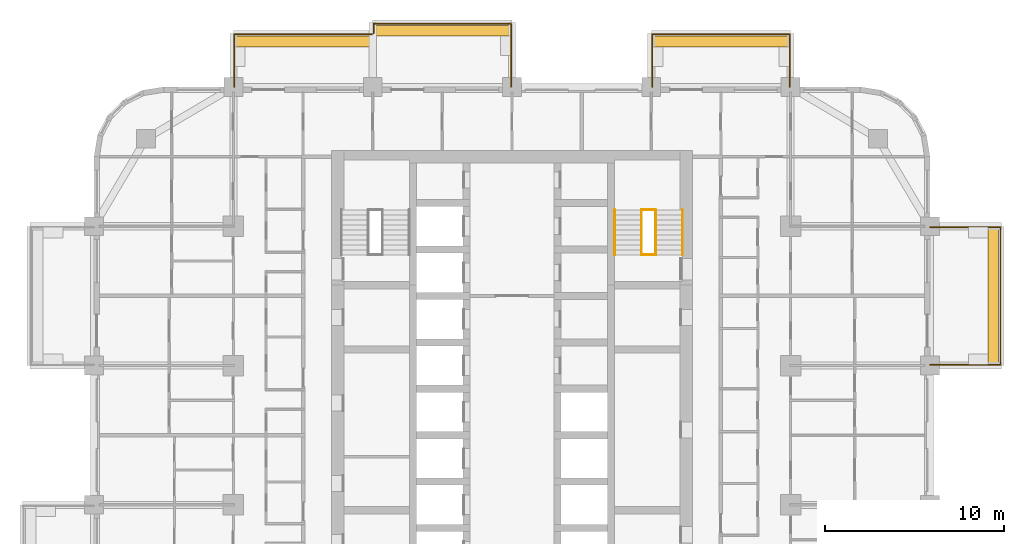
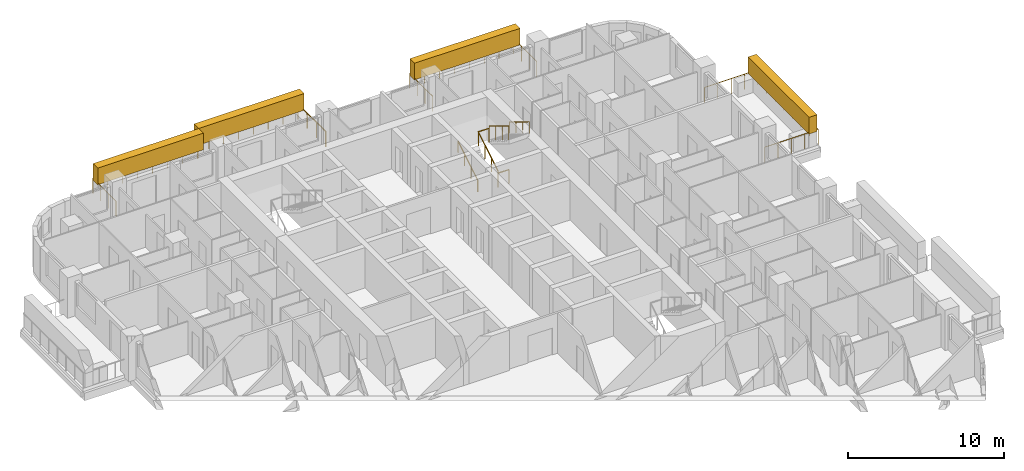
# One storey, part 17 of 17: 10 railings, 4 coverings, 1 element without a shape of its own.
"""IFC4 building model written with IfcOpenShell, lengths in metres."""

from ifc_helpers import new_model, si_unit, direction, frame, origin, origin_2d, place, context, subcontext, project, spatial, rectangle, circle, extrude, material, layer, layer_set, type_object, element, aggregate, save


model = new_model("IFC4")

# Units and contexts
model_context = context("Model", 3, precision=1e-05, world=origin(), true_north=direction((0.0, 1.0)))
body_context = subcontext(model_context, "Body", "Model", "MODEL_VIEW")
ifc_project = project(units=[si_unit("LENGTHUNIT", "METRE"), si_unit("AREAUNIT", "SQUARE_METRE"), si_unit("VOLUMEUNIT", "CUBIC_METRE"), si_unit("PLANEANGLEUNIT", "RADIAN"), si_unit("MASSUNIT", "GRAM", prefix="KILO")], contexts=[model_context])

# Site, building, storey
site_placement = place(None, origin())
site = spatial("IfcSite", under=ifc_project, at=site_placement, CompositionType="ELEMENT")
building_placement = place(site_placement, origin())
building = spatial("IfcBuilding", under=site, at=building_placement, Name="Ludao Terraces", CompositionType="ELEMENT")
storey_placement = place(building_placement, frame((0.0, 0.0, 19.5)))
storey = spatial("IfcBuildingStorey", under=building, at=storey_placement, Name="L04", CompositionType="ELEMENT", Elevation=19.5)

# Railings
ifc_material_1 = material(Name="Stainless steel 304", Category="steel")
railing_type_1 = type_object("IfcRailingType", Name="ENV Balcony glass guard 1200", PredefinedType="GUARDRAIL", material=ifc_material_1)
railing_1_placement = place(storey_placement, frame((108.39990234375, 72.85009765625, 0.0)))
element("IfcRailing", 1, at=railing_1_placement, inside=storey, type_object=railing_type_1, Name="Balcony guard L04 E4", PredefinedType="GUARDRAIL", context=body_context, shape_type="SweptSolid", body=[
    extrude(circle(Radius=0.02392578125, at=origin_2d()), frame((0.0, 0.0, 1.17578125), z_axis=(1.0, 0.0, 0.0), x_axis=(0.0, 1.0, 0.0)), (0.0, 0.0, 1.0), 3.9501953125),
    extrude(circle(Radius=0.02392578125, at=origin_2d()), frame((3.9501953125, 0.0, 1.17578125), z_axis=(0.0, 1.0, 0.0), x_axis=(-1.0, 0.0, 0.0)), (0.0, 0.0, 1.0), 7.699951171875),
    extrude(circle(Radius=0.02392578125, at=origin_2d()), frame((3.9501953125, 7.699951171875, 1.17578125), z_axis=(-1.0, 0.0, 0.0), x_axis=(0.0, -1.0, 0.0)), (0.0, 0.0, 1.0), 3.9501953125),
    extrude(circle(Radius=0.02099609375, at=origin_2d()), origin(), (0.0, 0.0, 1.0), 1.15185546875),
    extrude(circle(Radius=0.02099609375, at=origin_2d()), frame((0.987548828125, 0.0, 0.0)), (0.0, 0.0, 1.0), 1.15185546875),
    extrude(circle(Radius=0.02099609375, at=origin_2d()), frame((1.97509765625, 0.0, 0.0)), (0.0, 0.0, 1.0), 1.15185546875),
    extrude(circle(Radius=0.02099609375, at=origin_2d()), frame((2.962646484375, 0.0, 0.0)), (0.0, 0.0, 1.0), 1.15185546875),
    extrude(circle(Radius=0.02099609375, at=origin_2d()), frame((3.9501953125, 0.0, 0.0)), (0.0, 0.0, 1.0), 1.15185546875),
    extrude(circle(Radius=0.02099609375, at=origin_2d()), frame((3.9501953125, 1.10009765625, 0.0)), (0.0, 0.0, 1.0), 1.15185546875),
    extrude(circle(Radius=0.02099609375, at=origin_2d()), frame((3.9501953125, 2.199951171875, 0.0)), (0.0, 0.0, 1.0), 1.15185546875),
    extrude(circle(Radius=0.02099609375, at=origin_2d()), frame((3.9501953125, 3.300048828125, 0.0)), (0.0, 0.0, 1.0), 1.15185546875),
    extrude(circle(Radius=0.02099609375, at=origin_2d()), frame((3.9501953125, 4.39990234375, 0.0)), (0.0, 0.0, 1.0), 1.15185546875),
    extrude(circle(Radius=0.02099609375, at=origin_2d()), frame((3.9501953125, 5.5, 0.0)), (0.0, 0.0, 1.0), 1.15185546875),
    extrude(circle(Radius=0.02099609375, at=origin_2d()), frame((3.9501953125, 6.599853515625, 0.0)), (0.0, 0.0, 1.0), 1.15185546875),
    extrude(circle(Radius=0.02099609375, at=origin_2d()), frame((3.9501953125, 7.699951171875, 0.0)), (0.0, 0.0, 1.0), 1.15185546875),
    extrude(circle(Radius=0.02099609375, at=origin_2d()), frame((2.962646484375, 7.699951171875, 0.0)), (0.0, 0.0, 1.0), 1.15185546875),
    extrude(circle(Radius=0.02099609375, at=origin_2d()), frame((1.97509765625, 7.699951171875, 0.0)), (0.0, 0.0, 1.0), 1.15185546875),
    extrude(circle(Radius=0.02099609375, at=origin_2d()), frame((0.987548828125, 7.699951171875, 0.0)), (0.0, 0.0, 1.0), 1.15185546875),
    extrude(circle(Radius=0.02099609375, at=origin_2d()), frame((0.0, 7.699951171875, 0.0)), (0.0, 0.0, 1.0), 1.15185546875),
])
railing_2_placement = place(storey_placement, frame((69.449951171875, 88.39990234375, 0.0)))
element("IfcRailing", 2, at=railing_2_placement, inside=storey, type_object=railing_type_1, Name="Balcony guard L04 N1", PredefinedType="GUARDRAIL", context=body_context, shape_type="SweptSolid", body=[
    extrude(circle(Radius=0.02392578125, at=origin_2d()), frame((0.0, 0.0, 1.17578125), z_axis=(0.0, 1.0, 0.0), x_axis=(-1.0, 0.0, 0.0)), (0.0, 0.0, 1.0), 2.9501953125),
    extrude(circle(Radius=0.02392578125, at=origin_2d()), frame((0.0, 2.9501953125, 1.17578125), z_axis=(1.0, 0.0, 0.0), x_axis=(0.0, 1.0, 0.0)), (0.0, 0.0, 1.0), 7.699951171875),
    extrude(circle(Radius=0.02099609375, at=origin_2d()), origin(), (0.0, 0.0, 1.0), 1.15185546875),
    extrude(circle(Radius=0.02099609375, at=origin_2d()), frame((0.0, 0.9833984375, 0.0)), (0.0, 0.0, 1.0), 1.15185546875),
    extrude(circle(Radius=0.02099609375, at=origin_2d()), frame((0.0, 1.966796875, 0.0)), (0.0, 0.0, 1.0), 1.15185546875),
    extrude(circle(Radius=0.02099609375, at=origin_2d()), frame((0.0, 2.9501953125, 0.0)), (0.0, 0.0, 1.0), 1.15185546875),
    extrude(circle(Radius=0.02099609375, at=origin_2d()), frame((1.10009765625, 2.9501953125, 0.0)), (0.0, 0.0, 1.0), 1.15185546875),
    extrude(circle(Radius=0.02099609375, at=origin_2d()), frame((2.199951171875, 2.9501953125, 0.0)), (0.0, 0.0, 1.0), 1.15185546875),
    extrude(circle(Radius=0.02099609375, at=origin_2d()), frame((3.300048828125, 2.9501953125, 0.0)), (0.0, 0.0, 1.0), 1.15185546875),
    extrude(circle(Radius=0.02099609375, at=origin_2d()), frame((4.39990234375, 2.9501953125, 0.0)), (0.0, 0.0, 1.0), 1.15185546875),
    extrude(circle(Radius=0.02099609375, at=origin_2d()), frame((5.5, 2.9501953125, 0.0)), (0.0, 0.0, 1.0), 1.15185546875),
    extrude(circle(Radius=0.02099609375, at=origin_2d()), frame((6.599853515625, 2.9501953125, 0.0)), (0.0, 0.0, 1.0), 1.15185546875),
    extrude(circle(Radius=0.02099609375, at=origin_2d()), frame((7.699951171875, 2.9501953125, 0.0)), (0.0, 0.0, 1.0), 1.15185546875),
])
railing_3_placement = place(storey_placement, frame((77.25, 91.39990234375, 0.0)))
element("IfcRailing", 3, at=railing_3_placement, inside=storey, type_object=railing_type_1, Name="Balcony guard L04 N2", PredefinedType="GUARDRAIL", context=body_context, shape_type="SweptSolid", body=[
    extrude(circle(Radius=0.02392578125, at=origin_2d()), frame((0.0, 0.0, 1.17578125), z_axis=(0.0, 1.0, 0.0), x_axis=(-1.0, 0.0, 0.0)), (0.0, 0.0, 1.0), 0.550048828125),
    extrude(circle(Radius=0.02392578125, at=origin_2d()), frame((0.0, 0.550048828125, 1.17578125), z_axis=(1.0, 0.0, 0.0), x_axis=(0.0, 1.0, 0.0)), (0.0, 0.0, 1.0), 7.699951171875),
    extrude(circle(Radius=0.02392578125, at=origin_2d()), frame((7.699951171875, 0.550048828125, 1.17578125), z_axis=(0.0, -1.0, 0.0), x_axis=(1.0, 0.0, 0.0)), (0.0, 0.0, 1.0), 3.550048828125),
    extrude(circle(Radius=0.02099609375, at=origin_2d()), origin(), (0.0, 0.0, 1.0), 1.15185546875),
    extrude(circle(Radius=0.02099609375, at=origin_2d()), frame((0.0, 0.550048828125, 0.0)), (0.0, 0.0, 1.0), 1.15185546875),
    extrude(circle(Radius=0.02099609375, at=origin_2d()), frame((1.10009765625, 0.550048828125, 0.0)), (0.0, 0.0, 1.0), 1.15185546875),
    extrude(circle(Radius=0.02099609375, at=origin_2d()), frame((2.199951171875, 0.550048828125, 0.0)), (0.0, 0.0, 1.0), 1.15185546875),
    extrude(circle(Radius=0.02099609375, at=origin_2d()), frame((3.300048828125, 0.550048828125, 0.0)), (0.0, 0.0, 1.0), 1.15185546875),
    extrude(circle(Radius=0.02099609375, at=origin_2d()), frame((4.39990234375, 0.550048828125, 0.0)), (0.0, 0.0, 1.0), 1.15185546875),
    extrude(circle(Radius=0.02099609375, at=origin_2d()), frame((5.5, 0.550048828125, 0.0)), (0.0, 0.0, 1.0), 1.15185546875),
    extrude(circle(Radius=0.02099609375, at=origin_2d()), frame((6.599853515625, 0.550048828125, 0.0)), (0.0, 0.0, 1.0), 1.15185546875),
    extrude(circle(Radius=0.02099609375, at=origin_2d()), frame((7.699951171875, 0.550048828125, 0.0)), (0.0, 0.0, 1.0), 1.15185546875),
    extrude(circle(Radius=0.02099609375, at=origin_2d()), frame((7.699951171875, -0.63330078125, 0.0)), (0.0, 0.0, 1.0), 1.15185546875),
    extrude(circle(Radius=0.02099609375, at=origin_2d()), frame((7.699951171875, -1.816650390625, 0.0)), (0.0, 0.0, 1.0), 1.15185546875),
    extrude(circle(Radius=0.02099609375, at=origin_2d()), frame((7.699951171875, -3.0, 0.0)), (0.0, 0.0, 1.0), 1.15185546875),
])
railing_4_placement = place(storey_placement, frame((92.85009765625, 88.39990234375, 0.0)))
element("IfcRailing", 4, at=railing_4_placement, inside=storey, type_object=railing_type_1, Name="Balcony guard L04 N4", PredefinedType="GUARDRAIL", context=body_context, shape_type="SweptSolid", body=[
    extrude(circle(Radius=0.02392578125, at=origin_2d()), frame((0.0, 0.0, 1.17578125), z_axis=(0.0, 1.0, 0.0), x_axis=(-1.0, 0.0, 0.0)), (0.0, 0.0, 1.0), 2.9501953125),
    extrude(circle(Radius=0.02392578125, at=origin_2d()), frame((0.0, 2.9501953125, 1.17578125), z_axis=(1.0, 0.0, 0.0), x_axis=(0.0, 1.0, 0.0)), (0.0, 0.0, 1.0), 7.699951171875),
    extrude(circle(Radius=0.02392578125, at=origin_2d()), frame((7.699951171875, 2.9501953125, 1.17578125), z_axis=(0.0, -1.0, 0.0), x_axis=(1.0, 0.0, 0.0)), (0.0, 0.0, 1.0), 2.9501953125),
    extrude(circle(Radius=0.02099609375, at=origin_2d()), origin(), (0.0, 0.0, 1.0), 1.15185546875),
    extrude(circle(Radius=0.02099609375, at=origin_2d()), frame((0.0, 0.9833984375, 0.0)), (0.0, 0.0, 1.0), 1.15185546875),
    extrude(circle(Radius=0.02099609375, at=origin_2d()), frame((0.0, 1.966796875, 0.0)), (0.0, 0.0, 1.0), 1.15185546875),
    extrude(circle(Radius=0.02099609375, at=origin_2d()), frame((0.0, 2.9501953125, 0.0)), (0.0, 0.0, 1.0), 1.15185546875),
    extrude(circle(Radius=0.02099609375, at=origin_2d()), frame((1.10009765625, 2.9501953125, 0.0)), (0.0, 0.0, 1.0), 1.15185546875),
    extrude(circle(Radius=0.02099609375, at=origin_2d()), frame((2.199951171875, 2.9501953125, 0.0)), (0.0, 0.0, 1.0), 1.15185546875),
    extrude(circle(Radius=0.02099609375, at=origin_2d()), frame((3.300048828125, 2.9501953125, 0.0)), (0.0, 0.0, 1.0), 1.15185546875),
    extrude(circle(Radius=0.02099609375, at=origin_2d()), frame((4.39990234375, 2.9501953125, 0.0)), (0.0, 0.0, 1.0), 1.15185546875),
    extrude(circle(Radius=0.02099609375, at=origin_2d()), frame((5.5, 2.9501953125, 0.0)), (0.0, 0.0, 1.0), 1.15185546875),
    extrude(circle(Radius=0.02099609375, at=origin_2d()), frame((6.599853515625, 2.9501953125, 0.0)), (0.0, 0.0, 1.0), 1.15185546875),
    extrude(circle(Radius=0.02099609375, at=origin_2d()), frame((7.699951171875, 2.9501953125, 0.0)), (0.0, 0.0, 1.0), 1.15185546875),
    extrude(circle(Radius=0.02099609375, at=origin_2d()), frame((7.699951171875, 1.966796875, 0.0)), (0.0, 0.0, 1.0), 1.15185546875),
    extrude(circle(Radius=0.02099609375, at=origin_2d()), frame((7.699951171875, 0.9833984375, 0.0)), (0.0, 0.0, 1.0), 1.15185546875),
    extrude(circle(Radius=0.02099609375, at=origin_2d()), frame((7.699951171875, 0.0, 0.0)), (0.0, 0.0, 1.0), 1.15185546875),
])

# Coverings
ifc_material_2 = material(Name="Planting")
ifc_layer = layer(ifc_material_2, 0.60009765625)
ifc_layer_set = layer_set([ifc_layer], Name="ENV Planting hedge 600x1300")
covering_type = type_object("IfcCoveringType", Name="ENV Planting hedge 600x1300", PredefinedType="USERDEFINED", material=ifc_layer_set)
covering_placement = place(storey_placement, frame((111.949951171875, 76.699951171875, 1.10009765625), z_axis=(0.0, 0.0, 1.0), x_axis=(1.0, 0.0, 0.0)))
element("IfcCovering", 5, at=covering_placement, inside=storey, type_object=covering_type, Name="Planting hedge L04-E4", ObjectType="PLANTING", PredefinedType="USERDEFINED", context=body_context, shape_type="SweptSolid", body=[
    extrude(rectangle(XDim=0.60009765625, YDim=7.800048828125, at=origin_2d()), origin(), (0.0, 0.0, 1.0), 1.300048828125),
])
for number, where, z_axis, x_axis, name in (
    (6, (73.300048828125, 90.949951171875, 1.10009765625), (0.0, 0.0, 1.0), (1.0, 0.0, 0.0), "Planting hedge L04-N1"),
    (7, (81.10009765625, 91.550048828125, 1.10009765625), (0.0, 0.0, 1.0), (1.0, 0.0, 0.0), "Planting hedge L04-N2"),
    (8, (96.699951171875, 90.949951171875, 1.10009765625), (0.0, 0.0, 1.0), (1.0, 0.0, 0.0), "Planting hedge L04-N4"),
):
    element("IfcCovering", number, at=place(storey_placement, frame(where, z_axis=z_axis, x_axis=x_axis)), inside=storey, type_object=covering_type, Name=name, ObjectType="PLANTING", PredefinedType="USERDEFINED", context=body_context, shape_type="SweptSolid", body=[
        extrude(rectangle(XDim=7.800048828125, YDim=0.60009765625, at=origin_2d()), origin(), (0.0, 0.0, 1.0), 1.300048828125),
    ])

# Stair, railings
ifc_material_3 = material(Name="Concrete C40", Category="concrete")
stair_type = type_object("IfcStairType", Name="INT Stair", PredefinedType="HALF_TURN_STAIR", material=ifc_material_3)
stair_placement = place(storey_placement, origin())
stair = element("IfcStair", 9, at=stair_placement, inside=storey, type_object=stair_type, Name="EXIT STAIR 2", PredefinedType="HALF_TURN_STAIR")
railing_type_2 = type_object("IfcRailingType", Name="INT Stair guard 1100", PredefinedType="GUARDRAIL", material=ifc_material_1)
railing_5_placement = place(storey_placement, frame((92.25, 79.0, 0.169921875)))
railing_5 = element("IfcRailing", 10, at=railing_5_placement, type_object=railing_type_2, Name="ST-L04-S2-R1G", PredefinedType="GUARDRAIL", context=body_context, shape_type="SweptSolid", body=[
    extrude(circle(Radius=0.02392578125, at=origin_2d()), frame((0.0, 0.0, 1.076171875), z_axis=(0.0, 0.85478489116, 0.518982456201), x_axis=(-1.0, 0.0, 0.0)), (0.0, 0.0, 1.0), 2.9482421875),
    extrude(circle(Radius=0.02099609375, at=origin_2d()), origin(), (0.0, 0.0, 1.0), 1.052001953125),
    extrude(circle(Radius=0.02099609375, at=origin_2d()), frame((0.0, 0.840087890625, 0.510009765625)), (0.0, 0.0, 1.0), 1.052001953125),
    extrude(circle(Radius=0.02099609375, at=origin_2d()), frame((0.0, 1.679931640625, 1.02001953125)), (0.0, 0.0, 1.0), 1.052001953125),
    extrude(circle(Radius=0.02099609375, at=origin_2d()), frame((0.0, 2.52001953125, 1.530029296875)), (0.0, 0.0, 1.0), 1.052001953125),
])
railing_6_placement = place(storey_placement, frame((93.050048828125, 81.52001953125, 1.8701171875)))
railing_6 = element("IfcRailing", 11, at=railing_6_placement, type_object=railing_type_2, Name="ST-L04-S2-R2G", PredefinedType="GUARDRAIL", context=body_context, shape_type="SweptSolid", body=[
    extrude(circle(Radius=0.02392578125, at=origin_2d()), frame((0.0, 0.0, 1.076171875), z_axis=(0.0, -0.854821627497, 0.518921945155), x_axis=(1.0, 0.0, 0.0)), (0.0, 0.0, 1.0), 2.947998046875),
    extrude(circle(Radius=0.02099609375, at=origin_2d()), origin(), (0.0, 0.0, 1.0), 1.052001953125),
    extrude(circle(Radius=0.02099609375, at=origin_2d()), frame((0.0, -0.840087890625, 0.510009765625)), (0.0, 0.0, 1.0), 1.052001953125),
    extrude(circle(Radius=0.02099609375, at=origin_2d()), frame((0.0, -1.679931640625, 1.019775390625)), (0.0, 0.0, 1.0), 1.052001953125),
    extrude(circle(Radius=0.02099609375, at=origin_2d()), frame((0.0, -2.52001953125, 1.52978515625)), (0.0, 0.0, 1.0), 1.052001953125),
])
railing_7_placement = place(storey_placement, frame((92.25, 81.52001953125, 1.699951171875)))
railing_7 = element("IfcRailing", 12, at=railing_7_placement, type_object=railing_type_2, Name="ST-L04-S2-E1G", PredefinedType="GUARDRAIL", context=body_context, shape_type="SweptSolid", body=[
    extrude(circle(Radius=0.02392578125, at=origin_2d()), frame((0.0, 0.0, 1.076171875), z_axis=(1.0, 0.0, 0.0), x_axis=(0.0, 1.0, 0.0)), (0.0, 0.0, 1.0), 0.800048828125),
    extrude(circle(Radius=0.02099609375, at=origin_2d()), origin(), (0.0, 0.0, 1.0), 1.052001953125),
    extrude(circle(Radius=0.02099609375, at=origin_2d()), frame((0.800048828125, 0.0, 0.0)), (0.0, 0.0, 1.0), 1.052001953125),
])
railing_8_placement = place(storey_placement, frame((92.25, 79.0, 0.0)))
railing_8 = element("IfcRailing", 13, at=railing_8_placement, type_object=railing_type_2, Name="ST-L04-S2-E2G", PredefinedType="GUARDRAIL", context=body_context, shape_type="SweptSolid", body=[
    extrude(circle(Radius=0.02392578125, at=origin_2d()), frame((0.0, 0.0, 1.076171875), z_axis=(1.0, 0.0, 0.0), x_axis=(0.0, 1.0, 0.0)), (0.0, 0.0, 1.0), 0.800048828125),
    extrude(circle(Radius=0.02099609375, at=origin_2d()), origin(), (0.0, 0.0, 1.0), 1.052001953125),
    extrude(circle(Radius=0.02099609375, at=origin_2d()), frame((0.800048828125, 0.0, 0.0)), (0.0, 0.0, 1.0), 1.052001953125),
])
railing_type_3 = type_object("IfcRailingType", Name="INT Stair handrail 900", PredefinedType="HANDRAIL", material=ifc_material_1)
railing_9_placement = place(storey_placement, frame((90.75, 79.0, 0.169921875)))
railing_9 = element("IfcRailing", 14, at=railing_9_placement, type_object=railing_type_3, Name="ST-L04-S2-R1H", PredefinedType="HANDRAIL", context=body_context, shape_type="SweptSolid", body=[
    extrude(circle(Radius=0.02392578125, at=origin_2d()), frame((0.0, 0.0, 0.8759765625), z_axis=(0.0, 0.85478489116, 0.518982456201), x_axis=(-1.0, 0.0, 0.0)), (0.0, 0.0, 1.0), 2.9482421875),
    extrude(circle(Radius=0.02099609375, at=origin_2d()), origin(), (0.0, 0.0, 1.0), 0.851806640625),
    extrude(circle(Radius=0.02099609375, at=origin_2d()), frame((0.0, 0.840087890625, 0.510009765625)), (0.0, 0.0, 1.0), 0.851806640625),
    extrude(circle(Radius=0.02099609375, at=origin_2d()), frame((0.0, 1.679931640625, 1.02001953125)), (0.0, 0.0, 1.0), 0.851806640625),
    extrude(circle(Radius=0.02099609375, at=origin_2d()), frame((0.0, 2.52001953125, 1.530029296875)), (0.0, 0.0, 1.0), 0.851806640625),
])
railing_10_placement = place(storey_placement, frame((94.550048828125, 81.52001953125, 1.8701171875)))
railing_10 = element("IfcRailing", 15, at=railing_10_placement, type_object=railing_type_3, Name="ST-L04-S2-R2H", PredefinedType="HANDRAIL", context=body_context, shape_type="SweptSolid", body=[
    extrude(circle(Radius=0.02392578125, at=origin_2d()), frame((0.0, 0.0, 0.8759765625), z_axis=(0.0, -0.854821627497, 0.518921945155), x_axis=(1.0, 0.0, 0.0)), (0.0, 0.0, 1.0), 2.947998046875),
    extrude(circle(Radius=0.02099609375, at=origin_2d()), origin(), (0.0, 0.0, 1.0), 0.851806640625),
    extrude(circle(Radius=0.02099609375, at=origin_2d()), frame((0.0, -0.840087890625, 0.510009765625)), (0.0, 0.0, 1.0), 0.851806640625),
    extrude(circle(Radius=0.02099609375, at=origin_2d()), frame((0.0, -1.679931640625, 1.019775390625)), (0.0, 0.0, 1.0), 0.851806640625),
    extrude(circle(Radius=0.02099609375, at=origin_2d()), frame((0.0, -2.52001953125, 1.52978515625)), (0.0, 0.0, 1.0), 0.851806640625),
])
aggregate(stair, [railing_5, railing_9, railing_6, railing_10, railing_7, railing_8])

save(model, "model.ifc")
